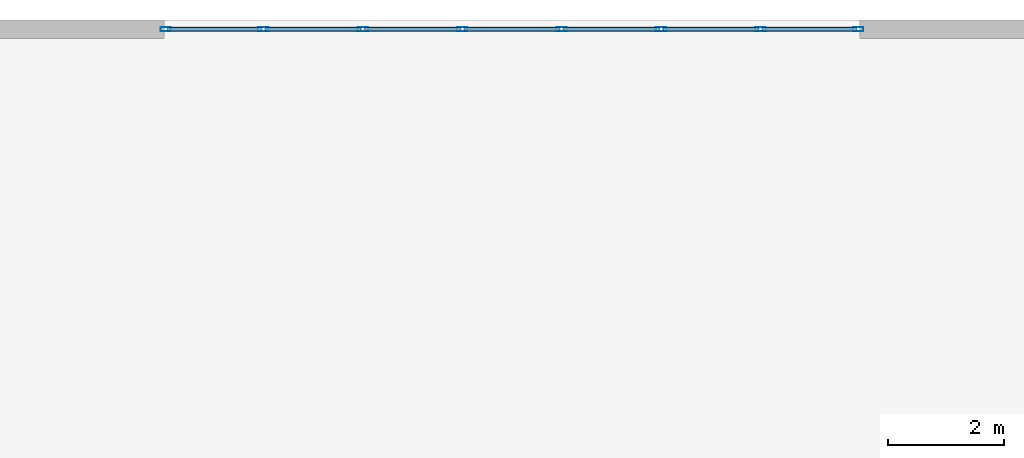
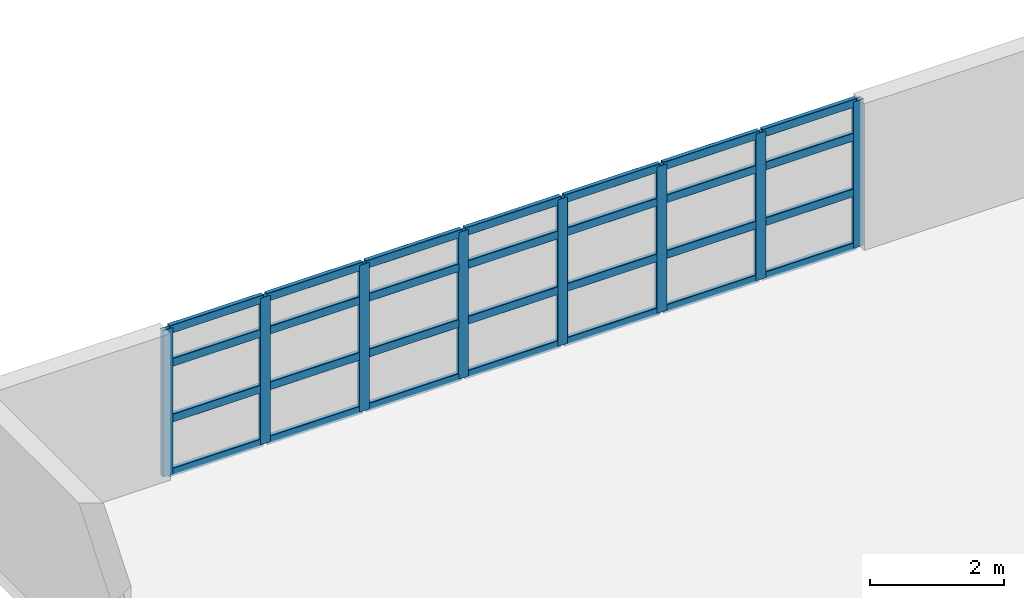
# One storey, part 10 of 24: 36 members, 1 element without a shape of its own.
"""IFC4 building model written with IfcOpenShell, lengths in metres."""

from ifc_helpers import new_model, si_unit, direction, frame, origin, origin_2d, place, context, subcontext, project, spatial, hollow_rectangle, extrude, material, layer, layer_set, material_profile, profile_set, type_object, element, aggregate, save


model = new_model("IFC4")

# Units and contexts
model_context = context("Model", 3, precision=1e-05, world=origin(), true_north=direction((0.0, 1.0)))
body_context = subcontext(model_context, "Body", "Model", "MODEL_VIEW")
ifc_project = project(units=[si_unit("LENGTHUNIT", "METRE"), si_unit("AREAUNIT", "SQUARE_METRE"), si_unit("VOLUMEUNIT", "CUBIC_METRE"), si_unit("PLANEANGLEUNIT", "RADIAN"), si_unit("MASSUNIT", "GRAM", prefix="KILO")], contexts=[model_context])

# Site, building, storey
site_placement = place(None, origin())
site = spatial("IfcSite", under=ifc_project, at=site_placement, CompositionType="ELEMENT")
building_placement = place(site_placement, origin())
building = spatial("IfcBuilding", under=site, at=building_placement, Name="Qingluan Cross Belvedere", CompositionType="ELEMENT")
storey_placement = place(building_placement, origin())
storey = spatial("IfcBuildingStorey", under=building, at=storey_placement, Name="L01", CompositionType="ELEMENT", Elevation=0.0)

# Curtain wall, members
ifc_material_1 = material(Name="Thermally broken aluminium and Low-E glass", Category="aluminium")
ifc_layer = layer(ifc_material_1, 0.199951171875, Name="UnitisedCW_PodiumArrival")
ifc_layer_set = layer_set([ifc_layer], Name="Thermally broken aluminium and Low-E glass")
curtain_wall_type = type_object("IfcCurtainWallType", Name="UnitisedCW_PodiumArrival", PredefinedType="USERDEFINED", material=ifc_layer_set)
curtain_wall_placement = place(storey_placement, origin())
curtain_wall = element("IfcCurtainWall", 1, at=curtain_wall_placement, inside=storey, type_object=curtain_wall_type, Name="UnitisedCW_PodiumArrival run env:cw:L01:N", ObjectType="UNITISED CURTAIN WALL", PredefinedType="USERDEFINED")
ifc_material_2 = material(Name="Aluminium alloy 6063-T6", Category="aluminium")
ifc_material_profile_1 = material_profile(ifc_material_2, hollow_rectangle(XDim=0.074951171875, YDim=0.179931640625, WallThickness=0.00390625, InnerFilletRadius=0.00390625, OuterFilletRadius=0.008056640625, at=origin_2d()), Name="CWM180x75x4")
ifc_profile_set_1 = profile_set([ifc_material_profile_1], Name="Aluminium alloy 6063-T6")
member_type_1 = type_object("IfcMemberType", Name="CWMullion_180", PredefinedType="MULLION", material=ifc_profile_set_1)
member_1_placement = place(storey_placement, frame((-5.969970703125, 39.0400390625, 0.0), z_axis=(0.0, 0.0, 1.0), x_axis=(0.0, 1.0, 0.0)))
member_1 = element("IfcMember", 2, at=member_1_placement, type_object=member_type_1, Name="CW-P1 mullion 1", PredefinedType="MULLION", context=body_context, shape_type="SweptSolid", body=[
    extrude(hollow_rectangle(XDim=0.074951171875, YDim=0.179931640625, WallThickness=0.00390625, InnerFilletRadius=0.00390625, OuterFilletRadius=0.008056640625, at=origin_2d()), origin(), (0.0, 0.0, 1.0), 2.679931640625),
])
member_2_placement = place(storey_placement, frame((-4.28564453125, 39.0400390625, 0.0), z_axis=(0.0, 0.0, 1.0), x_axis=(0.0, 1.0, 0.0)))
member_2 = element("IfcMember", 3, at=member_2_placement, type_object=member_type_1, Name="CW-P1 mullion 2", PredefinedType="MULLION", context=body_context, shape_type="SweptSolid", body=[
    extrude(hollow_rectangle(XDim=0.074951171875, YDim=0.179931640625, WallThickness=0.00390625, InnerFilletRadius=0.00390625, OuterFilletRadius=0.008056640625, at=origin_2d()), origin(), (0.0, 0.0, 1.0), 2.679931640625),
])
member_3_placement = place(storey_placement, frame((-2.571533203125, 39.0400390625, 0.0), z_axis=(0.0, 0.0, 1.0), x_axis=(0.0, 1.0, 0.0)))
member_3 = element("IfcMember", 4, at=member_3_placement, type_object=member_type_1, Name="CW-P1 mullion 3", PredefinedType="MULLION", context=body_context, shape_type="SweptSolid", body=[
    extrude(hollow_rectangle(XDim=0.074951171875, YDim=0.179931640625, WallThickness=0.00390625, InnerFilletRadius=0.00390625, OuterFilletRadius=0.008056640625, at=origin_2d()), origin(), (0.0, 0.0, 1.0), 2.679931640625),
])
member_4_placement = place(storey_placement, frame((-0.857177734375, 39.0400390625, 0.0), z_axis=(0.0, 0.0, 1.0), x_axis=(0.0, 1.0, 0.0)))
member_4 = element("IfcMember", 5, at=member_4_placement, type_object=member_type_1, Name="CW-P1 mullion 4", PredefinedType="MULLION", context=body_context, shape_type="SweptSolid", body=[
    extrude(hollow_rectangle(XDim=0.074951171875, YDim=0.179931640625, WallThickness=0.00390625, InnerFilletRadius=0.00390625, OuterFilletRadius=0.008056640625, at=origin_2d()), origin(), (0.0, 0.0, 1.0), 2.679931640625),
])
member_5_placement = place(storey_placement, frame((0.857177734375, 39.0400390625, 0.0), z_axis=(0.0, 0.0, 1.0), x_axis=(0.0, 1.0, 0.0)))
member_5 = element("IfcMember", 6, at=member_5_placement, type_object=member_type_1, Name="CW-P1 mullion 5", PredefinedType="MULLION", context=body_context, shape_type="SweptSolid", body=[
    extrude(hollow_rectangle(XDim=0.074951171875, YDim=0.179931640625, WallThickness=0.00390625, InnerFilletRadius=0.00390625, OuterFilletRadius=0.008056640625, at=origin_2d()), origin(), (0.0, 0.0, 1.0), 2.679931640625),
])
member_6_placement = place(storey_placement, frame((2.571533203125, 39.0400390625, 0.0), z_axis=(0.0, 0.0, 1.0), x_axis=(0.0, 1.0, 0.0)))
member_6 = element("IfcMember", 7, at=member_6_placement, type_object=member_type_1, Name="CW-P1 mullion 6", PredefinedType="MULLION", context=body_context, shape_type="SweptSolid", body=[
    extrude(hollow_rectangle(XDim=0.074951171875, YDim=0.179931640625, WallThickness=0.00390625, InnerFilletRadius=0.00390625, OuterFilletRadius=0.008056640625, at=origin_2d()), origin(), (0.0, 0.0, 1.0), 2.679931640625),
])
member_7_placement = place(storey_placement, frame((4.28564453125, 39.0400390625, 0.0), z_axis=(0.0, 0.0, 1.0), x_axis=(0.0, 1.0, 0.0)))
member_7 = element("IfcMember", 8, at=member_7_placement, type_object=member_type_1, Name="CW-P1 mullion 7", PredefinedType="MULLION", context=body_context, shape_type="SweptSolid", body=[
    extrude(hollow_rectangle(XDim=0.074951171875, YDim=0.179931640625, WallThickness=0.00390625, InnerFilletRadius=0.00390625, OuterFilletRadius=0.008056640625, at=origin_2d()), origin(), (0.0, 0.0, 1.0), 2.679931640625),
])
member_8_placement = place(storey_placement, frame((5.969970703125, 39.0400390625, 0.0), z_axis=(0.0, 0.0, 1.0), x_axis=(0.0, 1.0, 0.0)))
member_8 = element("IfcMember", 9, at=member_8_placement, type_object=member_type_1, Name="CW-P1 mullion 8", PredefinedType="MULLION", context=body_context, shape_type="SweptSolid", body=[
    extrude(hollow_rectangle(XDim=0.074951171875, YDim=0.179931640625, WallThickness=0.00390625, InnerFilletRadius=0.00390625, OuterFilletRadius=0.008056640625, at=origin_2d()), origin(), (0.0, 0.0, 1.0), 2.679931640625),
])
ifc_material_3 = material(Name="Aluminium alloy 6063-T6", Category="aluminium")
ifc_material_profile_2 = material_profile(ifc_material_3, hollow_rectangle(XDim=0.074951171875, YDim=0.14990234375, WallThickness=0.00390625, InnerFilletRadius=0.00390625, OuterFilletRadius=0.008056640625, at=origin_2d()), Name="CWT150x75x4")
ifc_profile_set_2 = profile_set([ifc_material_profile_2], Name="Aluminium alloy 6063-T6")
member_type_2 = type_object("IfcMemberType", Name="CWTransom_150", PredefinedType="USERDEFINED", material=ifc_profile_set_2)
member_9_placement = place(storey_placement, frame((-5.93994140625, 39.0400390625, 0.030029296875), z_axis=(1.0, 0.0, 0.0), x_axis=(0.0, 1.0, 0.0)))
member_9 = element("IfcMember", 10, at=member_9_placement, type_object=member_type_2, Name="CW-P1 transom 1.1", ObjectType="TRANSOM", PredefinedType="USERDEFINED", context=body_context, shape_type="SweptSolid", body=[
    extrude(hollow_rectangle(XDim=0.074951171875, YDim=0.14990234375, WallThickness=0.00390625, InnerFilletRadius=0.00390625, OuterFilletRadius=0.008056640625, at=origin_2d()), origin(), (0.0, 0.0, 1.0), 1.624267578125),
])
member_10_placement = place(storey_placement, frame((-5.93994140625, 39.0400390625, 1.01806640625), z_axis=(1.0, 0.0, 0.0), x_axis=(0.0, 1.0, 0.0)))
member_10 = element("IfcMember", 11, at=member_10_placement, type_object=member_type_2, Name="CW-P1 transom 1.2", ObjectType="TRANSOM", PredefinedType="USERDEFINED", context=body_context, shape_type="SweptSolid", body=[
    extrude(hollow_rectangle(XDim=0.074951171875, YDim=0.14990234375, WallThickness=0.00390625, InnerFilletRadius=0.00390625, OuterFilletRadius=0.008056640625, at=origin_2d()), origin(), (0.0, 0.0, 1.0), 1.624267578125),
])
member_11_placement = place(storey_placement, frame((-5.93994140625, 39.0400390625, 2.037109375), z_axis=(1.0, 0.0, 0.0), x_axis=(0.0, 1.0, 0.0)))
member_11 = element("IfcMember", 12, at=member_11_placement, type_object=member_type_2, Name="CW-P1 transom 1.3", ObjectType="TRANSOM", PredefinedType="USERDEFINED", context=body_context, shape_type="SweptSolid", body=[
    extrude(hollow_rectangle(XDim=0.074951171875, YDim=0.14990234375, WallThickness=0.00390625, InnerFilletRadius=0.00390625, OuterFilletRadius=0.008056640625, at=origin_2d()), origin(), (0.0, 0.0, 1.0), 1.624267578125),
])
member_12_placement = place(storey_placement, frame((-5.93994140625, 39.0400390625, 2.64990234375), z_axis=(1.0, 0.0, 0.0), x_axis=(0.0, 1.0, 0.0)))
member_12 = element("IfcMember", 13, at=member_12_placement, type_object=member_type_2, Name="CW-P1 transom 1.4", ObjectType="TRANSOM", PredefinedType="USERDEFINED", context=body_context, shape_type="SweptSolid", body=[
    extrude(hollow_rectangle(XDim=0.074951171875, YDim=0.14990234375, WallThickness=0.00390625, InnerFilletRadius=0.00390625, OuterFilletRadius=0.008056640625, at=origin_2d()), origin(), (0.0, 0.0, 1.0), 1.624267578125),
])
member_13_placement = place(storey_placement, frame((-4.255615234375, 39.0400390625, 0.030029296875), z_axis=(1.0, 0.0, 0.0), x_axis=(0.0, 1.0, 0.0)))
member_13 = element("IfcMember", 14, at=member_13_placement, type_object=member_type_2, Name="CW-P1 transom 2.1", ObjectType="TRANSOM", PredefinedType="USERDEFINED", context=body_context, shape_type="SweptSolid", body=[
    extrude(hollow_rectangle(XDim=0.074951171875, YDim=0.14990234375, WallThickness=0.00390625, InnerFilletRadius=0.00390625, OuterFilletRadius=0.008056640625, at=origin_2d()), origin(), (0.0, 0.0, 1.0), 1.654296875),
])
member_14_placement = place(storey_placement, frame((-4.255615234375, 39.0400390625, 1.01806640625), z_axis=(1.0, 0.0, 0.0), x_axis=(0.0, 1.0, 0.0)))
member_14 = element("IfcMember", 15, at=member_14_placement, type_object=member_type_2, Name="CW-P1 transom 2.2", ObjectType="TRANSOM", PredefinedType="USERDEFINED", context=body_context, shape_type="SweptSolid", body=[
    extrude(hollow_rectangle(XDim=0.074951171875, YDim=0.14990234375, WallThickness=0.00390625, InnerFilletRadius=0.00390625, OuterFilletRadius=0.008056640625, at=origin_2d()), origin(), (0.0, 0.0, 1.0), 1.654296875),
])
member_15_placement = place(storey_placement, frame((-4.255615234375, 39.0400390625, 2.037109375), z_axis=(1.0, 0.0, 0.0), x_axis=(0.0, 1.0, 0.0)))
member_15 = element("IfcMember", 16, at=member_15_placement, type_object=member_type_2, Name="CW-P1 transom 2.3", ObjectType="TRANSOM", PredefinedType="USERDEFINED", context=body_context, shape_type="SweptSolid", body=[
    extrude(hollow_rectangle(XDim=0.074951171875, YDim=0.14990234375, WallThickness=0.00390625, InnerFilletRadius=0.00390625, OuterFilletRadius=0.008056640625, at=origin_2d()), origin(), (0.0, 0.0, 1.0), 1.654296875),
])
member_16_placement = place(storey_placement, frame((-4.255615234375, 39.0400390625, 2.64990234375), z_axis=(1.0, 0.0, 0.0), x_axis=(0.0, 1.0, 0.0)))
member_16 = element("IfcMember", 17, at=member_16_placement, type_object=member_type_2, Name="CW-P1 transom 2.4", ObjectType="TRANSOM", PredefinedType="USERDEFINED", context=body_context, shape_type="SweptSolid", body=[
    extrude(hollow_rectangle(XDim=0.074951171875, YDim=0.14990234375, WallThickness=0.00390625, InnerFilletRadius=0.00390625, OuterFilletRadius=0.008056640625, at=origin_2d()), origin(), (0.0, 0.0, 1.0), 1.654296875),
])
member_17_placement = place(storey_placement, frame((-2.54150390625, 39.0400390625, 0.030029296875), z_axis=(1.0, 0.0, 0.0), x_axis=(0.0, 1.0, 0.0)))
member_17 = element("IfcMember", 18, at=member_17_placement, type_object=member_type_2, Name="CW-P1 transom 3.1", ObjectType="TRANSOM", PredefinedType="USERDEFINED", context=body_context, shape_type="SweptSolid", body=[
    extrude(hollow_rectangle(XDim=0.074951171875, YDim=0.14990234375, WallThickness=0.00390625, InnerFilletRadius=0.00390625, OuterFilletRadius=0.008056640625, at=origin_2d()), origin(), (0.0, 0.0, 1.0), 1.654296875),
])
member_18_placement = place(storey_placement, frame((-2.54150390625, 39.0400390625, 1.01806640625), z_axis=(1.0, 0.0, 0.0), x_axis=(0.0, 1.0, 0.0)))
member_18 = element("IfcMember", 19, at=member_18_placement, type_object=member_type_2, Name="CW-P1 transom 3.2", ObjectType="TRANSOM", PredefinedType="USERDEFINED", context=body_context, shape_type="SweptSolid", body=[
    extrude(hollow_rectangle(XDim=0.074951171875, YDim=0.14990234375, WallThickness=0.00390625, InnerFilletRadius=0.00390625, OuterFilletRadius=0.008056640625, at=origin_2d()), origin(), (0.0, 0.0, 1.0), 1.654296875),
])
member_19_placement = place(storey_placement, frame((-2.54150390625, 39.0400390625, 2.037109375), z_axis=(1.0, 0.0, 0.0), x_axis=(0.0, 1.0, 0.0)))
member_19 = element("IfcMember", 20, at=member_19_placement, type_object=member_type_2, Name="CW-P1 transom 3.3", ObjectType="TRANSOM", PredefinedType="USERDEFINED", context=body_context, shape_type="SweptSolid", body=[
    extrude(hollow_rectangle(XDim=0.074951171875, YDim=0.14990234375, WallThickness=0.00390625, InnerFilletRadius=0.00390625, OuterFilletRadius=0.008056640625, at=origin_2d()), origin(), (0.0, 0.0, 1.0), 1.654296875),
])
member_20_placement = place(storey_placement, frame((-2.54150390625, 39.0400390625, 2.64990234375), z_axis=(1.0, 0.0, 0.0), x_axis=(0.0, 1.0, 0.0)))
member_20 = element("IfcMember", 21, at=member_20_placement, type_object=member_type_2, Name="CW-P1 transom 3.4", ObjectType="TRANSOM", PredefinedType="USERDEFINED", context=body_context, shape_type="SweptSolid", body=[
    extrude(hollow_rectangle(XDim=0.074951171875, YDim=0.14990234375, WallThickness=0.00390625, InnerFilletRadius=0.00390625, OuterFilletRadius=0.008056640625, at=origin_2d()), origin(), (0.0, 0.0, 1.0), 1.654296875),
])
member_21_placement = place(storey_placement, frame((-0.8271484375, 39.0400390625, 0.030029296875), z_axis=(1.0, 0.0, 0.0), x_axis=(0.0, 1.0, 0.0)))
member_21 = element("IfcMember", 22, at=member_21_placement, type_object=member_type_2, Name="CW-P1 transom 4.1", ObjectType="TRANSOM", PredefinedType="USERDEFINED", context=body_context, shape_type="SweptSolid", body=[
    extrude(hollow_rectangle(XDim=0.074951171875, YDim=0.14990234375, WallThickness=0.00390625, InnerFilletRadius=0.00390625, OuterFilletRadius=0.008056640625, at=origin_2d()), origin(), (0.0, 0.0, 1.0), 1.654296875),
])
member_22_placement = place(storey_placement, frame((-0.8271484375, 39.0400390625, 1.01806640625), z_axis=(1.0, 0.0, 0.0), x_axis=(0.0, 1.0, 0.0)))
member_22 = element("IfcMember", 23, at=member_22_placement, type_object=member_type_2, Name="CW-P1 transom 4.2", ObjectType="TRANSOM", PredefinedType="USERDEFINED", context=body_context, shape_type="SweptSolid", body=[
    extrude(hollow_rectangle(XDim=0.074951171875, YDim=0.14990234375, WallThickness=0.00390625, InnerFilletRadius=0.00390625, OuterFilletRadius=0.008056640625, at=origin_2d()), origin(), (0.0, 0.0, 1.0), 1.654296875),
])
member_23_placement = place(storey_placement, frame((-0.8271484375, 39.0400390625, 2.037109375), z_axis=(1.0, 0.0, 0.0), x_axis=(0.0, 1.0, 0.0)))
member_23 = element("IfcMember", 24, at=member_23_placement, type_object=member_type_2, Name="CW-P1 transom 4.3", ObjectType="TRANSOM", PredefinedType="USERDEFINED", context=body_context, shape_type="SweptSolid", body=[
    extrude(hollow_rectangle(XDim=0.074951171875, YDim=0.14990234375, WallThickness=0.00390625, InnerFilletRadius=0.00390625, OuterFilletRadius=0.008056640625, at=origin_2d()), origin(), (0.0, 0.0, 1.0), 1.654296875),
])
member_24_placement = place(storey_placement, frame((-0.8271484375, 39.0400390625, 2.64990234375), z_axis=(1.0, 0.0, 0.0), x_axis=(0.0, 1.0, 0.0)))
member_24 = element("IfcMember", 25, at=member_24_placement, type_object=member_type_2, Name="CW-P1 transom 4.4", ObjectType="TRANSOM", PredefinedType="USERDEFINED", context=body_context, shape_type="SweptSolid", body=[
    extrude(hollow_rectangle(XDim=0.074951171875, YDim=0.14990234375, WallThickness=0.00390625, InnerFilletRadius=0.00390625, OuterFilletRadius=0.008056640625, at=origin_2d()), origin(), (0.0, 0.0, 1.0), 1.654296875),
])
member_25_placement = place(storey_placement, frame((0.88720703125, 39.0400390625, 0.030029296875), z_axis=(1.0, 0.0, 0.0), x_axis=(0.0, 1.0, 0.0)))
member_25 = element("IfcMember", 26, at=member_25_placement, type_object=member_type_2, Name="CW-P1 transom 5.1", ObjectType="TRANSOM", PredefinedType="USERDEFINED", context=body_context, shape_type="SweptSolid", body=[
    extrude(hollow_rectangle(XDim=0.074951171875, YDim=0.14990234375, WallThickness=0.00390625, InnerFilletRadius=0.00390625, OuterFilletRadius=0.008056640625, at=origin_2d()), origin(), (0.0, 0.0, 1.0), 1.654296875),
])
member_26_placement = place(storey_placement, frame((0.88720703125, 39.0400390625, 1.01806640625), z_axis=(1.0, 0.0, 0.0), x_axis=(0.0, 1.0, 0.0)))
member_26 = element("IfcMember", 27, at=member_26_placement, type_object=member_type_2, Name="CW-P1 transom 5.2", ObjectType="TRANSOM", PredefinedType="USERDEFINED", context=body_context, shape_type="SweptSolid", body=[
    extrude(hollow_rectangle(XDim=0.074951171875, YDim=0.14990234375, WallThickness=0.00390625, InnerFilletRadius=0.00390625, OuterFilletRadius=0.008056640625, at=origin_2d()), origin(), (0.0, 0.0, 1.0), 1.654296875),
])
member_27_placement = place(storey_placement, frame((0.88720703125, 39.0400390625, 2.037109375), z_axis=(1.0, 0.0, 0.0), x_axis=(0.0, 1.0, 0.0)))
member_27 = element("IfcMember", 28, at=member_27_placement, type_object=member_type_2, Name="CW-P1 transom 5.3", ObjectType="TRANSOM", PredefinedType="USERDEFINED", context=body_context, shape_type="SweptSolid", body=[
    extrude(hollow_rectangle(XDim=0.074951171875, YDim=0.14990234375, WallThickness=0.00390625, InnerFilletRadius=0.00390625, OuterFilletRadius=0.008056640625, at=origin_2d()), origin(), (0.0, 0.0, 1.0), 1.654296875),
])
member_28_placement = place(storey_placement, frame((0.88720703125, 39.0400390625, 2.64990234375), z_axis=(1.0, 0.0, 0.0), x_axis=(0.0, 1.0, 0.0)))
member_28 = element("IfcMember", 29, at=member_28_placement, type_object=member_type_2, Name="CW-P1 transom 5.4", ObjectType="TRANSOM", PredefinedType="USERDEFINED", context=body_context, shape_type="SweptSolid", body=[
    extrude(hollow_rectangle(XDim=0.074951171875, YDim=0.14990234375, WallThickness=0.00390625, InnerFilletRadius=0.00390625, OuterFilletRadius=0.008056640625, at=origin_2d()), origin(), (0.0, 0.0, 1.0), 1.654296875),
])
member_29_placement = place(storey_placement, frame((2.601318359375, 39.0400390625, 0.030029296875), z_axis=(1.0, 0.0, 0.0), x_axis=(0.0, 1.0, 0.0)))
member_29 = element("IfcMember", 30, at=member_29_placement, type_object=member_type_2, Name="CW-P1 transom 6.1", ObjectType="TRANSOM", PredefinedType="USERDEFINED", context=body_context, shape_type="SweptSolid", body=[
    extrude(hollow_rectangle(XDim=0.074951171875, YDim=0.14990234375, WallThickness=0.00390625, InnerFilletRadius=0.00390625, OuterFilletRadius=0.008056640625, at=origin_2d()), origin(), (0.0, 0.0, 1.0), 1.654296875),
])
member_30_placement = place(storey_placement, frame((2.601318359375, 39.0400390625, 1.01806640625), z_axis=(1.0, 0.0, 0.0), x_axis=(0.0, 1.0, 0.0)))
member_30 = element("IfcMember", 31, at=member_30_placement, type_object=member_type_2, Name="CW-P1 transom 6.2", ObjectType="TRANSOM", PredefinedType="USERDEFINED", context=body_context, shape_type="SweptSolid", body=[
    extrude(hollow_rectangle(XDim=0.074951171875, YDim=0.14990234375, WallThickness=0.00390625, InnerFilletRadius=0.00390625, OuterFilletRadius=0.008056640625, at=origin_2d()), origin(), (0.0, 0.0, 1.0), 1.654296875),
])
member_31_placement = place(storey_placement, frame((2.601318359375, 39.0400390625, 2.037109375), z_axis=(1.0, 0.0, 0.0), x_axis=(0.0, 1.0, 0.0)))
member_31 = element("IfcMember", 32, at=member_31_placement, type_object=member_type_2, Name="CW-P1 transom 6.3", ObjectType="TRANSOM", PredefinedType="USERDEFINED", context=body_context, shape_type="SweptSolid", body=[
    extrude(hollow_rectangle(XDim=0.074951171875, YDim=0.14990234375, WallThickness=0.00390625, InnerFilletRadius=0.00390625, OuterFilletRadius=0.008056640625, at=origin_2d()), origin(), (0.0, 0.0, 1.0), 1.654296875),
])
member_32_placement = place(storey_placement, frame((2.601318359375, 39.0400390625, 2.64990234375), z_axis=(1.0, 0.0, 0.0), x_axis=(0.0, 1.0, 0.0)))
member_32 = element("IfcMember", 33, at=member_32_placement, type_object=member_type_2, Name="CW-P1 transom 6.4", ObjectType="TRANSOM", PredefinedType="USERDEFINED", context=body_context, shape_type="SweptSolid", body=[
    extrude(hollow_rectangle(XDim=0.074951171875, YDim=0.14990234375, WallThickness=0.00390625, InnerFilletRadius=0.00390625, OuterFilletRadius=0.008056640625, at=origin_2d()), origin(), (0.0, 0.0, 1.0), 1.654296875),
])
member_33_placement = place(storey_placement, frame((4.315673828125, 39.0400390625, 0.030029296875), z_axis=(1.0, 0.0, 0.0), x_axis=(0.0, 1.0, 0.0)))
member_33 = element("IfcMember", 34, at=member_33_placement, type_object=member_type_2, Name="CW-P1 transom 7.1", ObjectType="TRANSOM", PredefinedType="USERDEFINED", context=body_context, shape_type="SweptSolid", body=[
    extrude(hollow_rectangle(XDim=0.074951171875, YDim=0.14990234375, WallThickness=0.00390625, InnerFilletRadius=0.00390625, OuterFilletRadius=0.008056640625, at=origin_2d()), origin(), (0.0, 0.0, 1.0), 1.624267578125),
])
member_34_placement = place(storey_placement, frame((4.315673828125, 39.0400390625, 1.01806640625), z_axis=(1.0, 0.0, 0.0), x_axis=(0.0, 1.0, 0.0)))
member_34 = element("IfcMember", 35, at=member_34_placement, type_object=member_type_2, Name="CW-P1 transom 7.2", ObjectType="TRANSOM", PredefinedType="USERDEFINED", context=body_context, shape_type="SweptSolid", body=[
    extrude(hollow_rectangle(XDim=0.074951171875, YDim=0.14990234375, WallThickness=0.00390625, InnerFilletRadius=0.00390625, OuterFilletRadius=0.008056640625, at=origin_2d()), origin(), (0.0, 0.0, 1.0), 1.624267578125),
])
member_35_placement = place(storey_placement, frame((4.315673828125, 39.0400390625, 2.037109375), z_axis=(1.0, 0.0, 0.0), x_axis=(0.0, 1.0, 0.0)))
member_35 = element("IfcMember", 36, at=member_35_placement, type_object=member_type_2, Name="CW-P1 transom 7.3", ObjectType="TRANSOM", PredefinedType="USERDEFINED", context=body_context, shape_type="SweptSolid", body=[
    extrude(hollow_rectangle(XDim=0.074951171875, YDim=0.14990234375, WallThickness=0.00390625, InnerFilletRadius=0.00390625, OuterFilletRadius=0.008056640625, at=origin_2d()), origin(), (0.0, 0.0, 1.0), 1.624267578125),
])
member_36_placement = place(storey_placement, frame((4.315673828125, 39.0400390625, 2.64990234375), z_axis=(1.0, 0.0, 0.0), x_axis=(0.0, 1.0, 0.0)))
member_36 = element("IfcMember", 37, at=member_36_placement, type_object=member_type_2, Name="CW-P1 transom 7.4", ObjectType="TRANSOM", PredefinedType="USERDEFINED", context=body_context, shape_type="SweptSolid", body=[
    extrude(hollow_rectangle(XDim=0.074951171875, YDim=0.14990234375, WallThickness=0.00390625, InnerFilletRadius=0.00390625, OuterFilletRadius=0.008056640625, at=origin_2d()), origin(), (0.0, 0.0, 1.0), 1.624267578125),
])
aggregate(curtain_wall, [member_1, member_2, member_3, member_4, member_5, member_6, member_7, member_8, member_9, member_10, member_11, member_12, member_13, member_14, member_15, member_16, member_17, member_18, member_19, member_20, member_21, member_22, member_23, member_24, member_25, member_26, member_27, member_28, member_29, member_30, member_31, member_32, member_33, member_34, member_35, member_36])

save(model, "model.ifc")
